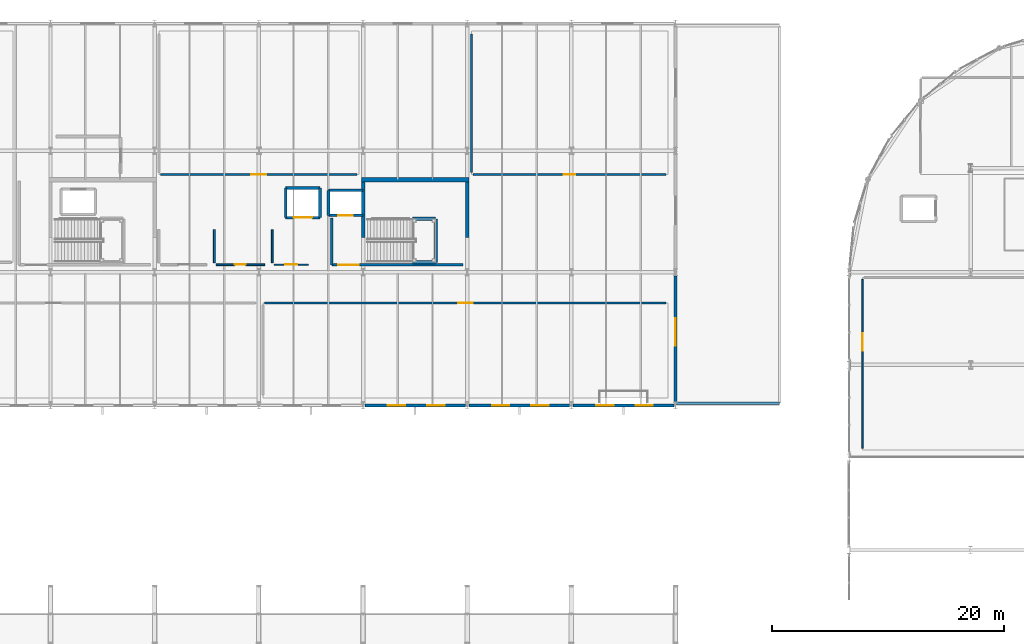
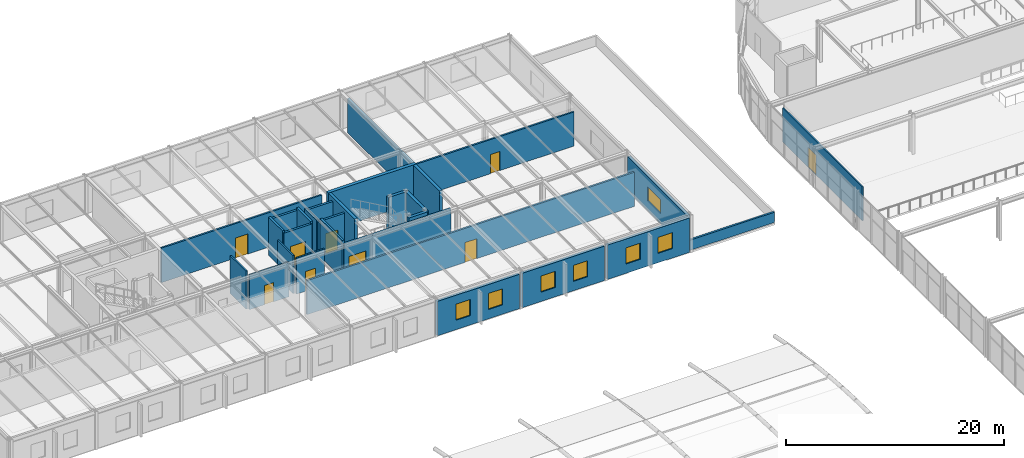
# One storey, part 60 of 105: 29 walls, 9 doors, 7 windows, 16 openings.
"""IFC4 building model written with IfcOpenShell, lengths in metres."""

from ifc_helpers import new_model, si_unit, direction, frame, frame_2d, origin, place, context, subcontext, project, spatial, rectangle, extrude, material, layer, layer_set, type_object, element, fill, save


model = new_model("IFC4")

# Units and contexts
model_context = context("Model", 3, precision=1e-05, world=origin(), true_north=direction((0.0, 1.0)))
body_context = subcontext(model_context, "Body", "Model", "MODEL_VIEW")
ifc_project = project(units=[si_unit("LENGTHUNIT", "METRE"), si_unit("AREAUNIT", "SQUARE_METRE"), si_unit("VOLUMEUNIT", "CUBIC_METRE"), si_unit("PLANEANGLEUNIT", "RADIAN"), si_unit("MASSUNIT", "GRAM", prefix="KILO")], contexts=[model_context])

# Site, building, storey
site_placement = place(None, origin())
site = spatial("IfcSite", under=ifc_project, at=site_placement, CompositionType="ELEMENT")
building_placement = place(site_placement, origin())
building = spatial("IfcBuilding", under=site, at=building_placement, Name="Marlcrest Central Station", CompositionType="ELEMENT")
storey_placement = place(building_placement, frame((0.0, 0.0, 15.0)))
storey = spatial("IfcBuildingStorey", under=building, at=storey_placement, Name="L03", CompositionType="ELEMENT", Elevation=15.0)

# Wall
ifc_material_1 = material(Name="Concrete C40/50", Category="concrete")
ifc_layer_1 = layer(ifc_material_1, 0.199951171875, Name="EP-01")
ifc_layer_set_1 = layer_set([ifc_layer_1], Name="Concrete C40/50")
wall_type_1 = type_object("IfcWallType", Name="EP-01", PredefinedType="PARAPET", material=ifc_layer_set_1)
wall_1_placement = place(storey_placement, frame((81.0, 99.199951171875, 0.0), z_axis=(0.0, 0.0, 1.0), x_axis=(-1.0, 0.0, 0.0)))
element("IfcWall", 1, at=wall_1_placement, inside=storey, type_object=wall_type_1, Name="ewall-L03-0205", PredefinedType="PARAPET", context=body_context, shape_type="SweptSolid", body=[
    extrude(rectangle(XDim=9.0, YDim=0.199951171875, at=frame_2d((4.5, 0.0))), origin(), (0.0, 0.0, 1.0), 1.14990234375),
])

# Wall, openings, windows
ifc_layer_2 = layer(ifc_material_1, 0.2900390625, Name="EW-02")
ifc_layer_set_2 = layer_set([ifc_layer_2], Name="Concrete C40/50")
wall_type_2 = type_object("IfcWallType", Name="EW-02", PredefinedType="SOLIDWALL", material=ifc_layer_set_2)
wall_2_placement = place(storey_placement, frame((53.85009765625, 99.0, 0.0), z_axis=(0.0, 0.0, 1.0), x_axis=(-1.0, 0.0, 0.0)))
wall_2 = element("IfcWall", 2, at=wall_2_placement, inside=storey, type_object=wall_type_2, Name="ewall-L03-0158", PredefinedType="SOLIDWALL", context=body_context, shape_type="SweptSolid", body=[
    extrude(rectangle(XDim=8.7001953125, YDim=0.2900390625, at=frame_2d((4.35009765625, 0.0))), origin(), (0.0, 0.0, 1.0), 3.85009765625),
])
opening_1_placement = place(wall_2_placement, frame((1.800048828125, 0.0, 1.050048828125)))
opening_1 = element("IfcOpeningElement", 3, at=opening_1_placement, cuts=wall_2, Name="Opening WN-04", PredefinedType="OPENING", context=body_context, shape_type="SweptSolid", body=[
    extrude(rectangle(XDim=1.5, YDim=1.800048828125, at=frame_2d((0.75, 0.89990234375))), frame((0.0, 0.155029296875, 0.0), z_axis=(0.0, -1.0, 0.0), x_axis=(1.0, 0.0, 0.0)), (0.0, 0.0, 1.0), 0.31005859375),
])
opening_2_placement = place(wall_2_placement, frame((5.199951171875, 0.0, 1.050048828125)))
opening_2 = element("IfcOpeningElement", 4, at=opening_2_placement, cuts=wall_2, Name="Opening WN-04", PredefinedType="OPENING", context=body_context, shape_type="SweptSolid", body=[
    extrude(rectangle(XDim=1.5, YDim=1.800048828125, at=frame_2d((0.75, 0.89990234375))), frame((0.0, 0.155029296875, 0.0), z_axis=(0.0, -1.0, 0.0), x_axis=(1.0, 0.0, 0.0)), (0.0, 0.0, 1.0), 0.31005859375),
])
ifc_material_2 = material(Name="Thermally broken bronze-anodised aluminium and laminated low-E glass", Category="aluminium")
window_type_1 = type_object("IfcWindowType", Name="WN-04", PartitioningType="SINGLE_PANEL", PredefinedType="WINDOW", material=ifc_material_2)
window_1_placement = place(opening_1_placement, origin())
window_1 = element("IfcWindow", 5, at=window_1_placement, inside=storey, type_object=window_type_1, Name="ewin-L03-0119", OverallHeight=1.800048828125, OverallWidth=1.5, PartitioningType="SINGLE_PANEL", PredefinedType="WINDOW", context=body_context, shape_type="SweptSolid", body=[
    extrude(rectangle(XDim=1.5, YDim=1.800048828125, at=frame_2d((0.75, 0.89990234375))), frame((0.0, 0.030029296875, 0.0), z_axis=(0.0, -1.0, 0.0), x_axis=(1.0, 0.0, 0.0)), (0.0, 0.0, 1.0), 0.06005859375),
])
fill(opening_1, window_1)
window_2_placement = place(opening_2_placement, origin())
window_2 = element("IfcWindow", 6, at=window_2_placement, inside=storey, type_object=window_type_1, Name="ewin-L03-0120", OverallHeight=1.800048828125, OverallWidth=1.5, PartitioningType="SINGLE_PANEL", PredefinedType="WINDOW", context=body_context, shape_type="SweptSolid", body=[
    extrude(rectangle(XDim=1.5, YDim=1.800048828125, at=frame_2d((0.75, 0.89990234375))), frame((0.0, 0.030029296875, 0.0), z_axis=(0.0, -1.0, 0.0), x_axis=(1.0, 0.0, 0.0)), (0.0, 0.0, 1.0), 0.06005859375),
])
fill(opening_2, window_2)

wall_3_placement = place(storey_placement, frame((62.85009765625, 99.0, 0.0), z_axis=(0.0, 0.0, 1.0), x_axis=(-1.0, 0.0, 0.0)))
wall_3 = element("IfcWall", 7, at=wall_3_placement, inside=storey, type_object=wall_type_2, Name="ewall-L03-0160", PredefinedType="SOLIDWALL", context=body_context, shape_type="SweptSolid", body=[
    extrude(rectangle(XDim=8.7001953125, YDim=0.2900390625, at=frame_2d((4.35009765625, 0.0))), origin(), (0.0, 0.0, 1.0), 3.85009765625),
])
opening_3_placement = place(wall_3_placement, frame((1.800048828125, 0.0, 1.050048828125)))
opening_3 = element("IfcOpeningElement", 8, at=opening_3_placement, cuts=wall_3, Name="Opening WN-04", PredefinedType="OPENING", context=body_context, shape_type="SweptSolid", body=[
    extrude(rectangle(XDim=1.5, YDim=1.800048828125, at=frame_2d((0.75, 0.89990234375))), frame((0.0, 0.155029296875, 0.0), z_axis=(0.0, -1.0, 0.0), x_axis=(1.0, 0.0, 0.0)), (0.0, 0.0, 1.0), 0.31005859375),
])
opening_4_placement = place(wall_3_placement, frame((5.199951171875, 0.0, 1.050048828125)))
opening_4 = element("IfcOpeningElement", 9, at=opening_4_placement, cuts=wall_3, Name="Opening WN-04", PredefinedType="OPENING", context=body_context, shape_type="SweptSolid", body=[
    extrude(rectangle(XDim=1.5, YDim=1.800048828125, at=frame_2d((0.75, 0.89990234375))), frame((0.0, 0.155029296875, 0.0), z_axis=(0.0, -1.0, 0.0), x_axis=(1.0, 0.0, 0.0)), (0.0, 0.0, 1.0), 0.31005859375),
])
window_3_placement = place(opening_3_placement, origin())
window_3 = element("IfcWindow", 10, at=window_3_placement, inside=storey, type_object=window_type_1, Name="ewin-L03-0122", OverallHeight=1.800048828125, OverallWidth=1.5, PartitioningType="SINGLE_PANEL", PredefinedType="WINDOW", context=body_context, shape_type="SweptSolid", body=[
    extrude(rectangle(XDim=1.5, YDim=1.800048828125, at=frame_2d((0.75, 0.89990234375))), frame((0.0, 0.030029296875, 0.0), z_axis=(0.0, -1.0, 0.0), x_axis=(1.0, 0.0, 0.0)), (0.0, 0.0, 1.0), 0.06005859375),
])
fill(opening_3, window_3)
window_4_placement = place(opening_4_placement, origin())
window_4 = element("IfcWindow", 11, at=window_4_placement, inside=storey, type_object=window_type_1, Name="ewin-L03-0123", OverallHeight=1.800048828125, OverallWidth=1.5, PartitioningType="SINGLE_PANEL", PredefinedType="WINDOW", context=body_context, shape_type="SweptSolid", body=[
    extrude(rectangle(XDim=1.5, YDim=1.800048828125, at=frame_2d((0.75, 0.89990234375))), frame((0.0, 0.030029296875, 0.0), z_axis=(0.0, -1.0, 0.0), x_axis=(1.0, 0.0, 0.0)), (0.0, 0.0, 1.0), 0.06005859375),
])
fill(opening_4, window_4)

wall_4_placement = place(storey_placement, frame((71.85009765625, 99.0, 0.0), z_axis=(0.0, 0.0, 1.0), x_axis=(-1.0, 0.0, 0.0)))
wall_4 = element("IfcWall", 12, at=wall_4_placement, inside=storey, type_object=wall_type_2, Name="ewall-L03-0162", PredefinedType="SOLIDWALL", context=body_context, shape_type="SweptSolid", body=[
    extrude(rectangle(XDim=8.7001953125, YDim=0.2900390625, at=frame_2d((4.35009765625, 0.0))), origin(), (0.0, 0.0, 1.0), 3.85009765625),
])
opening_5_placement = place(wall_4_placement, frame((1.800048828125, 0.0, 1.050048828125)))
opening_5 = element("IfcOpeningElement", 13, at=opening_5_placement, cuts=wall_4, Name="Opening WN-04", PredefinedType="OPENING", context=body_context, shape_type="SweptSolid", body=[
    extrude(rectangle(XDim=1.5, YDim=1.800048828125, at=frame_2d((0.75, 0.89990234375))), frame((0.0, 0.155029296875, 0.0), z_axis=(0.0, -1.0, 0.0), x_axis=(1.0, 0.0, 0.0)), (0.0, 0.0, 1.0), 0.31005859375),
])
opening_6_placement = place(wall_4_placement, frame((5.199951171875, 0.0, 1.050048828125)))
opening_6 = element("IfcOpeningElement", 14, at=opening_6_placement, cuts=wall_4, Name="Opening WN-04", PredefinedType="OPENING", context=body_context, shape_type="SweptSolid", body=[
    extrude(rectangle(XDim=1.5, YDim=1.800048828125, at=frame_2d((0.75, 0.89990234375))), frame((0.0, 0.155029296875, 0.0), z_axis=(0.0, -1.0, 0.0), x_axis=(1.0, 0.0, 0.0)), (0.0, 0.0, 1.0), 0.31005859375),
])
window_5_placement = place(opening_5_placement, origin())
window_5 = element("IfcWindow", 15, at=window_5_placement, inside=storey, type_object=window_type_1, Name="ewin-L03-0125", OverallHeight=1.800048828125, OverallWidth=1.5, PartitioningType="SINGLE_PANEL", PredefinedType="WINDOW", context=body_context, shape_type="SweptSolid", body=[
    extrude(rectangle(XDim=1.5, YDim=1.800048828125, at=frame_2d((0.75, 0.89990234375))), frame((0.0, 0.030029296875, 0.0), z_axis=(0.0, -1.0, 0.0), x_axis=(1.0, 0.0, 0.0)), (0.0, 0.0, 1.0), 0.06005859375),
])
fill(opening_5, window_5)
window_6_placement = place(opening_6_placement, origin())
window_6 = element("IfcWindow", 16, at=window_6_placement, inside=storey, type_object=window_type_1, Name="ewin-L03-0126", OverallHeight=1.800048828125, OverallWidth=1.5, PartitioningType="SINGLE_PANEL", PredefinedType="WINDOW", context=body_context, shape_type="SweptSolid", body=[
    extrude(rectangle(XDim=1.5, YDim=1.800048828125, at=frame_2d((0.75, 0.89990234375))), frame((0.0, 0.030029296875, 0.0), z_axis=(0.0, -1.0, 0.0), x_axis=(1.0, 0.0, 0.0)), (0.0, 0.0, 1.0), 0.06005859375),
])
fill(opening_6, window_6)

# Wall, opening, window
wall_5_placement = place(storey_placement, frame((72.0, 110.199951171875, 0.0), z_axis=(0.0, 0.0, 1.0), x_axis=(0.0, -1.0, 0.0)))
wall_5 = element("IfcWall", 17, at=wall_5_placement, inside=storey, type_object=wall_type_2, Name="ewall-L03-0167", PredefinedType="SOLIDWALL", context=body_context, shape_type="SweptSolid", body=[
    extrude(rectangle(XDim=10.89990234375, YDim=0.2900390625, at=frame_2d((5.449951171875, 0.0))), origin(), (0.0, 0.0, 1.0), 3.85009765625),
])
opening_7_placement = place(wall_5_placement, frame((3.64990234375, 0.0, 1.10009765625)))
opening_7 = element("IfcOpeningElement", 18, at=opening_7_placement, cuts=wall_5, Name="Opening WN-02", PredefinedType="OPENING", context=body_context, shape_type="SweptSolid", body=[
    extrude(rectangle(XDim=2.39990234375, YDim=1.60009765625, at=frame_2d((1.199951171875, 0.800048828125))), frame((0.0, 0.155029296875, 0.0), z_axis=(0.0, -1.0, 0.0), x_axis=(1.0, 0.0, 0.0)), (0.0, 0.0, 1.0), 0.31005859375),
])
window_type_2 = type_object("IfcWindowType", Name="WN-02", PartitioningType="SINGLE_PANEL", PredefinedType="WINDOW", material=ifc_material_2)
window_7_placement = place(opening_7_placement, origin())
window_7 = element("IfcWindow", 19, at=window_7_placement, inside=storey, type_object=window_type_2, Name="ewin-L03-0130", OverallHeight=1.60009765625, OverallWidth=2.39990234375, PartitioningType="SINGLE_PANEL", PredefinedType="WINDOW", context=body_context, shape_type="SweptSolid", body=[
    extrude(rectangle(XDim=2.39990234375, YDim=1.60009765625, at=frame_2d((1.199951171875, 0.800048828125))), frame((0.0, 0.030029296875, 0.0), z_axis=(0.0, -1.0, 0.0), x_axis=(1.0, 0.0, 0.0)), (0.0, 0.0, 1.0), 0.06005859375),
])
fill(opening_7, window_7)

# Wall, opening, door
ifc_material_3 = material(Name="Acoustic double-stud partition")
ifc_layer_3 = layer(ifc_material_3, 0.139892578125, Name="PT-02")
ifc_layer_set_3 = layer_set([ifc_layer_3], Name="Acoustic double-stud partition")
wall_type_3 = type_object("IfcWallType", Name="PT-02", PredefinedType="PARTITIONING", material=ifc_layer_set_3)
wall_6_placement = place(storey_placement, frame((88.159912109375, 109.889892578125, 0.0), z_axis=(0.0, 0.0, 1.0), x_axis=(0.0, -1.0, 0.0)))
wall_6 = element("IfcWall", 20, at=wall_6_placement, inside=storey, type_object=wall_type_3, Name="iwall-L03-00166", PredefinedType="PARTITIONING", context=body_context, shape_type="SweptSolid", body=[
    extrude(rectangle(XDim=14.579833984375, YDim=0.139892578125, at=frame_2d((7.2900390625, 0.0))), origin(), (0.0, 0.0, 1.0), 3.800048828125),
])
opening_8_placement = place(wall_6_placement, frame((4.64404296875, 0.0, 0.0)))
opening_8 = element("IfcOpeningElement", 21, at=opening_8_placement, cuts=wall_6, Name="Opening ID-05", PredefinedType="OPENING", context=body_context, shape_type="SweptSolid", body=[
    extrude(rectangle(XDim=1.5, YDim=2.199951171875, at=frame_2d((0.75, 1.10009765625))), frame((0.0, 0.079833984375, 0.0), z_axis=(0.0, -1.0, 0.0), x_axis=(1.0, 0.0, 0.0)), (0.0, 0.0, 1.0), 0.159912109375),
])
ifc_material_4 = material(Name="Double lounge and meeting door")
door_type_1 = type_object("IfcDoorType", Name="ID-05", OperationType="DOUBLE_DOOR_SINGLE_SWING", PredefinedType="DOOR", material=ifc_material_4)
door_1_placement = place(opening_8_placement, origin())
door_1 = element("IfcDoor", 22, at=door_1_placement, inside=storey, type_object=door_type_1, Name="L03-V2N1 0094", OperationType="DOUBLE_DOOR_SINGLE_SWING", OverallHeight=2.199951171875, OverallWidth=1.5, PredefinedType="DOOR", context=body_context, shape_type="SweptSolid", body=[
    extrude(rectangle(XDim=1.5, YDim=2.199951171875, at=frame_2d((0.75, 1.10009765625))), frame((0.0, 0.02490234375, 0.0), z_axis=(0.0, -1.0, 0.0), x_axis=(1.0, 0.0, 0.0)), (0.0, 0.0, 1.0), 0.050048828125),
])
fill(opening_8, door_1)

ifc_material_5 = material(Name="Moisture-resistant tiled sanitary partition")
ifc_layer_4 = layer(ifc_material_5, 0.159912109375, Name="PT-03")
ifc_layer_set_4 = layer_set([ifc_layer_4], Name="Moisture-resistant tiled sanitary partition")
wall_type_4 = type_object("IfcWallType", Name="PT-03", PredefinedType="PARTITIONING", material=ifc_layer_set_4)
wall_7_placement = place(storey_placement, frame((36.489990234375, 111.159912109375, 0.0), z_axis=(0.0, 0.0, 1.0), x_axis=(-1.0, 0.0, 0.0)))
wall_7 = element("IfcWall", 23, at=wall_7_placement, inside=storey, type_object=wall_type_4, Name="iwall-L03-00188", PredefinedType="PARTITIONING", context=body_context, shape_type="SweptSolid", body=[
    extrude(rectangle(XDim=4.179931640625, YDim=0.159912109375, at=frame_2d((2.08984375, 0.0))), origin(), (0.0, 0.0, 1.0), 3.864990234375),
])
opening_9_placement = place(wall_7_placement, frame((1.614990234375, 0.0, 0.0)))
opening_9 = element("IfcOpeningElement", 24, at=opening_9_placement, cuts=wall_7, Name="Opening ID-01", PredefinedType="OPENING", context=body_context, shape_type="SweptSolid", body=[
    extrude(rectangle(XDim=0.949951171875, YDim=2.14990234375, at=frame_2d((0.47509765625, 1.074951171875))), frame((0.0, 0.08984375, 0.0), z_axis=(0.0, -1.0, 0.0), x_axis=(1.0, 0.0, 0.0)), (0.0, 0.0, 1.0), 0.179931640625),
])
ifc_material_6 = material(Name="Solid-core hardwood acoustic door", Category="wood")
door_type_2 = type_object("IfcDoorType", Name="ID-01", OperationType="NOTDEFINED", PredefinedType="DOOR", material=ifc_material_6)
door_2_placement = place(opening_9_placement, origin())
door_2 = element("IfcDoor", 25, at=door_2_placement, inside=storey, type_object=door_type_2, Name="L03-WC-W2 0106", OperationType="SINGLE_SWING_LEFT", OverallHeight=2.14990234375, OverallWidth=0.949951171875, PredefinedType="DOOR", context=body_context, shape_type="SweptSolid", body=[
    extrude(rectangle(XDim=0.949951171875, YDim=2.14990234375, at=frame_2d((0.47509765625, 1.074951171875))), frame((0.0, 0.02490234375, 0.0), z_axis=(0.0, -1.0, 0.0), x_axis=(1.0, 0.0, 0.0)), (0.0, 0.0, 1.0), 0.050048828125),
])
fill(opening_9, door_2)

# Wall
wall_8_placement = place(storey_placement, frame((32.159912109375, 111.31005859375, 0.0), z_axis=(0.0, 0.0, 1.0), x_axis=(0.0, 1.0, 0.0)))
element("IfcWall", 26, at=wall_8_placement, inside=storey, type_object=wall_type_4, Name="iwall-L03-00189", PredefinedType="PARTITIONING", context=body_context, shape_type="SweptSolid", body=[
    extrude(rectangle(XDim=2.8798828125, YDim=0.159912109375, at=frame_2d((1.43994140625, 0.0))), origin(), (0.0, 0.0, 1.0), 4.25),
])

# Wall, opening, door
wall_9_placement = place(storey_placement, frame((40.2900390625, 111.159912109375, 0.0), z_axis=(0.0, 0.0, 1.0), x_axis=(-1.0, 0.0, 0.0)))
wall_9 = element("IfcWall", 27, at=wall_9_placement, inside=storey, type_object=wall_type_4, Name="iwall-L03-00190", PredefinedType="PARTITIONING", context=body_context, shape_type="SweptSolid", body=[
    extrude(rectangle(XDim=2.97998046875, YDim=0.159912109375, at=frame_2d((1.489990234375, 0.0))), origin(), (0.0, 0.0, 1.0), 4.034912109375),
])
opening_10_placement = place(wall_9_placement, frame((0.965087890625, 0.0, 0.0)))
opening_10 = element("IfcOpeningElement", 28, at=opening_10_placement, cuts=wall_9, Name="Opening ID-03", PredefinedType="OPENING", context=body_context, shape_type="SweptSolid", body=[
    extrude(rectangle(XDim=1.050048828125, YDim=2.199951171875, at=frame_2d((0.52490234375, 1.10009765625))), frame((0.0, 0.08984375, 0.0), z_axis=(0.0, -1.0, 0.0), x_axis=(1.0, 0.0, 0.0)), (0.0, 0.0, 1.0), 0.179931640625),
])
ifc_material_7 = material(Name="Accessible sanitary outward-opening door")
door_type_3 = type_object("IfcDoorType", Name="ID-03", OperationType="NOTDEFINED", PredefinedType="DOOR", material=ifc_material_7)
door_3_placement = place(opening_10_placement, origin())
door_3 = element("IfcDoor", 29, at=door_3_placement, inside=storey, type_object=door_type_3, Name="L03-WC-WA 0107", OperationType="SINGLE_SWING_RIGHT", OverallHeight=2.199951171875, OverallWidth=1.050048828125, PredefinedType="DOOR", context=body_context, shape_type="SweptSolid", body=[
    extrude(rectangle(XDim=1.050048828125, YDim=2.199951171875, at=frame_2d((0.52490234375, 1.10009765625))), frame((0.0, 0.02490234375, 0.0), z_axis=(0.0, -1.0, 0.0), x_axis=(1.0, 0.0, 0.0)), (0.0, 0.0, 1.0), 0.050048828125),
])
fill(opening_10, door_3)

# Wall
wall_10_placement = place(storey_placement, frame((37.159912109375, 111.31005859375, 0.0), z_axis=(0.0, 0.0, 1.0), x_axis=(0.0, 1.0, 0.0)))
element("IfcWall", 30, at=wall_10_placement, inside=storey, type_object=wall_type_4, Name="iwall-L03-00191", PredefinedType="PARTITIONING", context=body_context, shape_type="SweptSolid", body=[
    extrude(rectangle(XDim=2.8798828125, YDim=0.159912109375, at=frame_2d((1.43994140625, 0.0))), origin(), (0.0, 0.0, 1.0), 4.25),
])

# Wall, opening, door
ifc_material_8 = material(Name="Fire-rated corridor blockwork partition", Category="masonry")
ifc_layer_5 = layer(ifc_material_8, 0.179931640625, Name="PT-04")
ifc_layer_set_5 = layer_set([ifc_layer_5], Name="Fire-rated corridor blockwork partition")
wall_type_5 = type_object("IfcWallType", Name="PT-04", PredefinedType="PARTITIONING", material=ifc_layer_set_5)
wall_11_placement = place(storey_placement, frame((36.510009765625, 107.840087890625, 0.0), z_axis=(0.0, 0.0, 1.0), x_axis=(1.0, 0.0, 0.0)))
wall_11 = element("IfcWall", 31, at=wall_11_placement, inside=storey, type_object=wall_type_5, Name="iwall-L03-00177", PredefinedType="PARTITIONING", context=body_context, shape_type="SweptSolid", body=[
    extrude(rectangle(XDim=34.679931640625, YDim=0.179931640625, at=frame_2d((17.33984375, 0.0))), origin(), (0.0, 0.0, 1.0), 3.81494140625),
])
opening_11_placement = place(wall_11_placement, frame((16.715087890625, 0.0, 0.0)))
opening_11 = element("IfcOpeningElement", 32, at=opening_11_placement, cuts=wall_11, Name="Opening ID-09", PredefinedType="OPENING", context=body_context, shape_type="SweptSolid", body=[
    extrude(rectangle(XDim=1.25, YDim=2.219970703125, at=frame_2d((0.625, 1.10986328125))), frame((0.0, 0.099853515625, 0.0), z_axis=(0.0, -1.0, 0.0), x_axis=(1.0, 0.0, 0.0)), (0.0, 0.0, 1.0), 0.199951171875),
])
ifc_material_9 = material(Name="Equipment room wide leaf door")
door_type_4 = type_object("IfcDoorType", Name="ID-09", OperationType="NOTDEFINED", PredefinedType="DOOR", material=ifc_material_9)
door_4_placement = place(opening_11_placement, origin())
door_4 = element("IfcDoor", 33, at=door_4_placement, inside=storey, type_object=door_type_4, Name="L03-V5B 0100", OperationType="SINGLE_SWING_LEFT", OverallHeight=2.219970703125, OverallWidth=1.25, PredefinedType="DOOR", context=body_context, shape_type="SweptSolid", body=[
    extrude(rectangle(XDim=1.25, YDim=2.219970703125, at=frame_2d((0.625, 1.10986328125))), frame((0.0, 0.02490234375, 0.0), z_axis=(0.0, -1.0, 0.0), x_axis=(1.0, 0.0, 0.0)), (0.0, 0.0, 1.0), 0.050048828125),
])
fill(opening_11, door_4)

wall_12_placement = place(storey_placement, frame((44.489990234375, 118.9599609375, 0.0), z_axis=(0.0, 0.0, 1.0), x_axis=(-1.0, 0.0, 0.0)))
wall_12 = element("IfcWall", 34, at=wall_12_placement, inside=storey, type_object=wall_type_5, Name="iwall-L03-00180", PredefinedType="PARTITIONING", context=body_context, shape_type="SweptSolid", body=[
    extrude(rectangle(XDim=16.97998046875, YDim=0.179931640625, at=frame_2d((8.489990234375, 0.0))), origin(), (0.0, 0.0, 1.0), 3.864990234375),
])
opening_12_placement = place(wall_12_placement, frame((7.840087890625, 0.0, 0.0)))
opening_12 = element("IfcOpeningElement", 35, at=opening_12_placement, cuts=wall_12, Name="Opening FD-60W", PredefinedType="OPENING", context=body_context, shape_type="SweptSolid", body=[
    extrude(rectangle(XDim=1.300048828125, YDim=2.25, at=frame_2d((0.64990234375, 1.125))), frame((0.0, 0.099853515625, 0.0), z_axis=(0.0, -1.0, 0.0), x_axis=(1.0, 0.0, 0.0)), (0.0, 0.0, 1.0), 0.199951171875),
])
ifc_material_10 = material(Name="Wide 60-minute plant equipment fire door")
door_type_5 = type_object("IfcDoorType", Name="FD-60W", OperationType="NOTDEFINED", PredefinedType="DOOR", material=ifc_material_10)
door_5_placement = place(opening_12_placement, origin())
door_5 = element("IfcDoor", 36, at=door_5_placement, inside=storey, type_object=door_type_5, Name="L03-V5E 0102", OperationType="SINGLE_SWING_LEFT", OverallHeight=2.25, OverallWidth=1.300048828125, PredefinedType="DOOR", context=body_context, shape_type="SweptSolid", body=[
    extrude(rectangle(XDim=1.300048828125, YDim=2.25, at=frame_2d((0.64990234375, 1.125))), frame((0.0, 0.02490234375, 0.0), z_axis=(0.0, -1.0, 0.0), x_axis=(1.0, 0.0, 0.0)), (0.0, 0.0, 1.0), 0.050048828125),
])
fill(opening_12, door_5)

wall_13_placement = place(storey_placement, frame((71.18994140625, 118.9599609375, 0.0), z_axis=(0.0, 0.0, 1.0), x_axis=(-1.0, 0.0, 0.0)))
wall_13 = element("IfcWall", 37, at=wall_13_placement, inside=storey, type_object=wall_type_5, Name="iwall-L03-00182", PredefinedType="PARTITIONING", context=body_context, shape_type="SweptSolid", body=[
    extrude(rectangle(XDim=16.679931640625, YDim=0.179931640625, at=frame_2d((8.33984375, 0.0))), origin(), (0.0, 0.0, 1.0), 3.81494140625),
])
opening_13_placement = place(wall_13_placement, frame((7.840087890625, 0.0, 0.0)))
opening_13 = element("IfcOpeningElement", 38, at=opening_13_placement, cuts=wall_13, Name="Opening ID-02", PredefinedType="OPENING", context=body_context, shape_type="SweptSolid", body=[
    extrude(rectangle(XDim=1.0, YDim=2.14990234375, at=frame_2d((0.5, 1.074951171875))), frame((0.0, 0.099853515625, 0.0), z_axis=(0.0, -1.0, 0.0), x_axis=(1.0, 0.0, 0.0)), (0.0, 0.0, 1.0), 0.199951171875),
])
ifc_material_11 = material(Name="Solid-core hardwood office door", Category="wood")
door_type_6 = type_object("IfcDoorType", Name="ID-02", OperationType="NOTDEFINED", PredefinedType="DOOR", material=ifc_material_11)
door_6_placement = place(opening_13_placement, origin())
door_6 = element("IfcDoor", 39, at=door_6_placement, inside=storey, type_object=door_type_6, Name="L03-V5F 0103", OperationType="SINGLE_SWING_RIGHT", OverallHeight=2.14990234375, OverallWidth=1.0, PredefinedType="DOOR", context=body_context, shape_type="SweptSolid", body=[
    extrude(rectangle(XDim=1.0, YDim=2.14990234375, at=frame_2d((0.5, 1.074951171875))), frame((0.0, 0.02490234375, 0.0), z_axis=(0.0, -1.0, 0.0), x_axis=(1.0, 0.0, 0.0)), (0.0, 0.0, 1.0), 0.050048828125),
])
fill(opening_13, door_6)

# Walls
wall_14_placement = place(storey_placement, frame((54.360107421875, 119.110107421875, 0.0), z_axis=(0.0, 0.0, 1.0), x_axis=(0.0, 1.0, 0.0)))
element("IfcWall", 40, at=wall_14_placement, inside=storey, type_object=wall_type_5, Name="iwall-L03-00183", PredefinedType="PARTITIONING", context=body_context, shape_type="SweptSolid", body=[
    extrude(rectangle(XDim=11.97998046875, YDim=0.179931640625, at=frame_2d((5.989990234375, 0.0))), origin(), (0.0, 0.0, 1.0), 3.864990234375),
])
ifc_layer_6 = layer(ifc_material_1, 0.22998046875, Name="SHW-01")
ifc_layer_set_6 = layer_set([ifc_layer_6], Name="Concrete C40/50")
wall_type_6 = type_object("IfcWallType", Name="SHW-01", PredefinedType="SOLIDWALL", material=ifc_layer_set_6)
wall_15_placement = place(storey_placement, frame((42.02001953125, 117.580078125, 0.0), z_axis=(0.0, 0.0, 1.0), x_axis=(1.0, 0.0, 0.0)))
element("IfcWall", 41, at=wall_15_placement, inside=storey, type_object=wall_type_6, Name="iwall-L03-00383", PredefinedType="SOLIDWALL", context=body_context, shape_type="SweptSolid", body=[
    extrude(rectangle(XDim=2.9599609375, YDim=0.22998046875, at=frame_2d((1.47998046875, 0.0))), origin(), (0.0, 0.0, 1.0), 3.864990234375),
])

# Wall, opening, door
wall_16_placement = place(storey_placement, frame((44.97998046875, 115.419921875, 0.0), z_axis=(0.0, 0.0, 1.0), x_axis=(-1.0, 0.0, 0.0)))
wall_16 = element("IfcWall", 42, at=wall_16_placement, inside=storey, type_object=wall_type_6, Name="iwall-L03-00384", PredefinedType="SOLIDWALL", context=body_context, shape_type="SweptSolid", body=[
    extrude(rectangle(XDim=2.9599609375, YDim=0.22998046875, at=frame_2d((1.47998046875, 0.0))), origin(), (0.0, 0.0, 1.0), 3.864990234375),
])
opening_14_placement = place(wall_16_placement, frame((0.85498046875, 0.0, 0.0)))
opening_14 = element("IfcOpeningElement", 43, at=opening_14_placement, cuts=wall_16, Name="Opening LD-02", PredefinedType="OPENING", context=body_context, shape_type="SweptSolid", body=[
    extrude(rectangle(XDim=1.25, YDim=2.199951171875, at=frame_2d((0.625, 1.10009765625))), frame((0.0, 0.125, 0.0), z_axis=(0.0, -1.0, 0.0), x_axis=(1.0, 0.0, 0.0)), (0.0, 0.0, 1.0), 0.25),
])
ifc_material_12 = material(Name="Stainless steel stretcher/firefighting lift landing door", Category="steel")
door_type_7 = type_object("IfcDoorType", Name="LD-02", OperationType="DOUBLE_DOOR_SLIDING", PredefinedType="DOOR", material=ifc_material_12)
door_7_placement = place(opening_14_placement, origin())
door_7 = element("IfcDoor", 44, at=door_7_placement, inside=storey, type_object=door_type_7, Name="LF-O1 Lift Landing Door 0167", OperationType="DOUBLE_DOOR_SLIDING", OverallHeight=2.199951171875, OverallWidth=1.25, PredefinedType="DOOR", context=body_context, shape_type="SweptSolid", body=[
    extrude(rectangle(XDim=1.25, YDim=2.199951171875, at=frame_2d((0.625, 1.10009765625))), frame((0.0, 0.02490234375, 0.0), z_axis=(0.0, -1.0, 0.0), x_axis=(1.0, 0.0, 0.0)), (0.0, 0.0, 1.0), 0.050048828125),
])
fill(opening_14, door_7)

# Walls
wall_17_placement = place(storey_placement, frame((42.02001953125, 115.419921875, 0.0), z_axis=(0.0, 0.0, 1.0), x_axis=(0.0, 1.0, 0.0)))
element("IfcWall", 45, at=wall_17_placement, inside=storey, type_object=wall_type_6, Name="iwall-L03-00385", PredefinedType="SOLIDWALL", context=body_context, shape_type="SweptSolid", body=[
    extrude(rectangle(XDim=2.16015625, YDim=0.22998046875, at=frame_2d((1.080078125, 0.0))), origin(), (0.0, 0.0, 1.0), 4.034912109375),
])
wall_18_placement = place(storey_placement, frame((38.320068359375, 117.780029296875, 0.0), z_axis=(0.0, 0.0, 1.0), x_axis=(1.0, 0.0, 0.0)))
element("IfcWall", 46, at=wall_18_placement, inside=storey, type_object=wall_type_6, Name="iwall-L03-00408", PredefinedType="SOLIDWALL", context=body_context, shape_type="SweptSolid", body=[
    extrude(rectangle(XDim=2.9599609375, YDim=0.22998046875, at=frame_2d((1.47998046875, 0.0))), origin(), (0.0, 0.0, 1.0), 4.034912109375),
])

# Wall, opening, door
wall_19_placement = place(storey_placement, frame((41.280029296875, 115.219970703125, 0.0), z_axis=(0.0, 0.0, 1.0), x_axis=(-1.0, 0.0, 0.0)))
wall_19 = element("IfcWall", 47, at=wall_19_placement, inside=storey, type_object=wall_type_6, Name="iwall-L03-00409", PredefinedType="SOLIDWALL", context=body_context, shape_type="SweptSolid", body=[
    extrude(rectangle(XDim=2.9599609375, YDim=0.22998046875, at=frame_2d((1.47998046875, 0.0))), origin(), (0.0, 0.0, 1.0), 4.034912109375),
])
opening_15_placement = place(wall_19_placement, frame((0.679931640625, 0.0, 0.0)))
opening_15 = element("IfcOpeningElement", 48, at=opening_15_placement, cuts=wall_19, Name="Opening LD-03", PredefinedType="OPENING", context=body_context, shape_type="SweptSolid", body=[
    extrude(rectangle(XDim=1.60009765625, YDim=2.300048828125, at=frame_2d((0.800048828125, 1.14990234375))), frame((0.0, 0.125, 0.0), z_axis=(0.0, -1.0, 0.0), x_axis=(1.0, 0.0, 0.0)), (0.0, 0.0, 1.0), 0.25),
])
ifc_material_13 = material(Name="Heavy-duty goods lift sliding landing door")
door_type_8 = type_object("IfcDoorType", Name="LD-03", OperationType="DOUBLE_DOOR_SLIDING", PredefinedType="DOOR", material=ifc_material_13)
door_8_placement = place(opening_15_placement, origin())
door_8 = element("IfcDoor", 49, at=door_8_placement, inside=storey, type_object=door_type_8, Name="LF-G1 Lift Landing Door 0174", OperationType="DOUBLE_DOOR_SLIDING", OverallHeight=2.300048828125, OverallWidth=1.60009765625, PredefinedType="DOOR", context=body_context, shape_type="SweptSolid", body=[
    extrude(rectangle(XDim=1.60009765625, YDim=2.300048828125, at=frame_2d((0.800048828125, 1.14990234375))), frame((0.0, 0.02490234375, 0.0), z_axis=(0.0, -1.0, 0.0), x_axis=(1.0, 0.0, 0.0)), (0.0, 0.0, 1.0), 0.050048828125),
])
fill(opening_15, door_8)

# Walls
for number, where, z_axis, x_axis, name in (
    (50, (38.320068359375, 115.219970703125, 0.0), (0.0, 0.0, 1.0), (0.0, 1.0, 0.0), "iwall-L03-00410"),
    (51, (41.280029296875, 117.780029296875, 0.0), (0.0, 0.0, 1.0), (0.0, -1.0, 0.0), "iwall-L03-00411"),
):
    element("IfcWall", number, at=place(storey_placement, frame(where, z_axis=z_axis, x_axis=x_axis)), inside=storey, type_object=wall_type_6, Name=name, PredefinedType="SOLIDWALL", context=body_context, shape_type="SweptSolid", body=[
        extrude(rectangle(XDim=2.56005859375, YDim=0.22998046875, at=frame_2d((1.280029296875, 0.0))), origin(), (0.0, 0.0, 1.0), 4.260009765625),
    ])

# Wall, opening, door
wall_20_placement = place(storey_placement, frame((42.300048828125, 111.14990234375, 0.0), z_axis=(0.0, 0.0, 1.0), x_axis=(1.0, 0.0, 0.0)))
wall_20 = element("IfcWall", 52, at=wall_20_placement, inside=storey, type_object=wall_type_6, Name="iwall-L03-00443", PredefinedType="SOLIDWALL", context=body_context, shape_type="SweptSolid", body=[
    extrude(rectangle(XDim=11.349853515625, YDim=0.22998046875, at=frame_2d((5.6748046875, 0.0))), origin(), (0.0, 0.0, 1.0), 3.864990234375),
])
opening_16_placement = place(wall_20_placement, frame((0.550048828125, 0.0, 0.0)))
opening_16 = element("IfcOpeningElement", 53, at=opening_16_placement, cuts=wall_20, Name="Opening FD-90D", PredefinedType="OPENING", context=body_context, shape_type="SweptSolid", body=[
    extrude(rectangle(XDim=1.800048828125, YDim=2.300048828125, at=frame_2d((0.89990234375, 1.14990234375))), frame((0.0, 0.125, 0.0), z_axis=(0.0, -1.0, 0.0), x_axis=(1.0, 0.0, 0.0)), (0.0, 0.0, 1.0), 0.25),
])
ifc_material_14 = material(Name="90-minute double exit-stair fire door")
door_type_9 = type_object("IfcDoorType", Name="FD-90D", OperationType="DOUBLE_DOOR_SINGLE_SWING", PredefinedType="DOOR", material=ifc_material_14)
door_9_placement = place(opening_16_placement, origin())
door_9 = element("IfcDoor", 54, at=door_9_placement, inside=storey, type_object=door_type_9, Name="ST-W23 Stair Door 0191", OperationType="DOUBLE_DOOR_SINGLE_SWING", OverallHeight=2.300048828125, OverallWidth=1.800048828125, PredefinedType="DOOR", context=body_context, shape_type="SweptSolid", body=[
    extrude(rectangle(XDim=1.800048828125, YDim=2.300048828125, at=frame_2d((0.89990234375, 1.14990234375))), frame((0.0, 0.02490234375, 0.0), z_axis=(0.0, -1.0, 0.0), x_axis=(1.0, 0.0, 0.0)), (0.0, 0.0, 1.0), 0.050048828125),
])
fill(opening_16, door_9)

# Walls
wall_21_placement = place(storey_placement, frame((42.300048828125, 111.14990234375, 0.0), z_axis=(0.0, 0.0, 1.0), x_axis=(0.0, 1.0, 0.0)))
element("IfcWall", 55, at=wall_21_placement, inside=storey, type_object=wall_type_6, Name="iwall-L03-00444", PredefinedType="SOLIDWALL", context=body_context, shape_type="SweptSolid", body=[
    extrude(rectangle(XDim=4.050048828125, YDim=0.22998046875, at=frame_2d((2.02490234375, 0.0))), origin(), (0.0, 0.0, 1.0), 4.25),
])
ifc_material_15 = material(Name="Concrete C50/60", Category="concrete")
ifc_layer_7 = layer(ifc_material_15, 0.35009765625, Name="SW-01")
ifc_layer_set_7 = layer_set([ifc_layer_7], Name="Concrete C50/60")
wall_type_7 = type_object("IfcWallType", Name="SW-01", PredefinedType="SHEAR", material=ifc_layer_set_7)
wall_22_placement = place(storey_placement, frame((44.85009765625, 118.5, 0.0), z_axis=(0.0, 0.0, 1.0), x_axis=(1.0, 0.0, 0.0)))
element("IfcWall", 56, at=wall_22_placement, inside=storey, type_object=wall_type_7, Name="swall-L03-0032", PredefinedType="SHEAR", context=body_context, shape_type="SweptSolid", body=[
    extrude(rectangle(XDim=9.2998046875, YDim=0.35009765625, at=frame_2d((4.64990234375, 0.0))), origin(), (0.0, 0.0, 1.0), 4.284912109375),
])
ifc_layer_8 = layer(ifc_material_15, 0.300048828125, Name="SW-02")
ifc_layer_set_8 = layer_set([ifc_layer_8], Name="Concrete C50/60")
wall_type_8 = type_object("IfcWallType", Name="SW-02", PredefinedType="SHEAR", material=ifc_layer_set_8)
for number, where, z_axis, x_axis, name in (
    (57, (45.0, 113.5, 0.0), (0.0, 0.0, 1.0), (0.0, 1.0, 0.0), "swall-L03-0033"),
    (58, (54.0, 113.5, 0.0), (0.0, 0.0, 1.0), (0.0, 1.0, 0.0), "swall-L03-0034"),
):
    element("IfcWall", number, at=place(storey_placement, frame(where, z_axis=z_axis, x_axis=x_axis)), inside=storey, type_object=wall_type_8, Name=name, PredefinedType="SHEAR", context=body_context, shape_type="SweptSolid", body=[
        extrude(rectangle(XDim=4.824951171875, YDim=0.300048828125, at=frame_2d((2.41259765625, 0.0))), origin(), (0.0, 0.0, 1.0), 4.284912109375),
    ])
wall_23_placement = place(storey_placement, frame((49.280029296875, 111.3701171875, 0.0), z_axis=(0.0, 0.0, 1.0), x_axis=(1.0, 0.0, 0.0)))
element("IfcWall", 59, at=wall_23_placement, inside=storey, type_object=wall_type_8, Name="htsw-0051-S", PredefinedType="SHEAR", context=body_context, shape_type="SweptSolid", body=[
    extrude(rectangle(XDim=2.0, YDim=0.300048828125, at=frame_2d((1.0, 0.0))), origin(), (0.0, 0.0, 1.0), 4.25),
])
wall_24_placement = place(storey_placement, frame((51.280029296875, 111.3701171875, 0.0), z_axis=(0.0, 0.0, 1.0), x_axis=(0.0, 1.0, 0.0)))
element("IfcWall", 60, at=wall_24_placement, inside=storey, type_object=wall_type_8, Name="htsw-0051-E", PredefinedType="SHEAR", context=body_context, shape_type="SweptSolid", body=[
    extrude(rectangle(XDim=3.759765625, YDim=0.300048828125, at=frame_2d((1.8798828125, 0.0))), origin(), (0.0, 0.0, 1.0), 4.25),
])
wall_25_placement = place(storey_placement, frame((51.280029296875, 115.1298828125, 0.0), z_axis=(0.0, 0.0, 1.0), x_axis=(-1.0, 0.0, 0.0)))
element("IfcWall", 61, at=wall_25_placement, inside=storey, type_object=wall_type_8, Name="htsw-0051-N", PredefinedType="SHEAR", context=body_context, shape_type="SweptSolid", body=[
    extrude(rectangle(XDim=2.0, YDim=0.300048828125, at=frame_2d((1.0, 0.0))), origin(), (0.0, 0.0, 1.0), 4.25),
])

save(model, "model.ifc")
